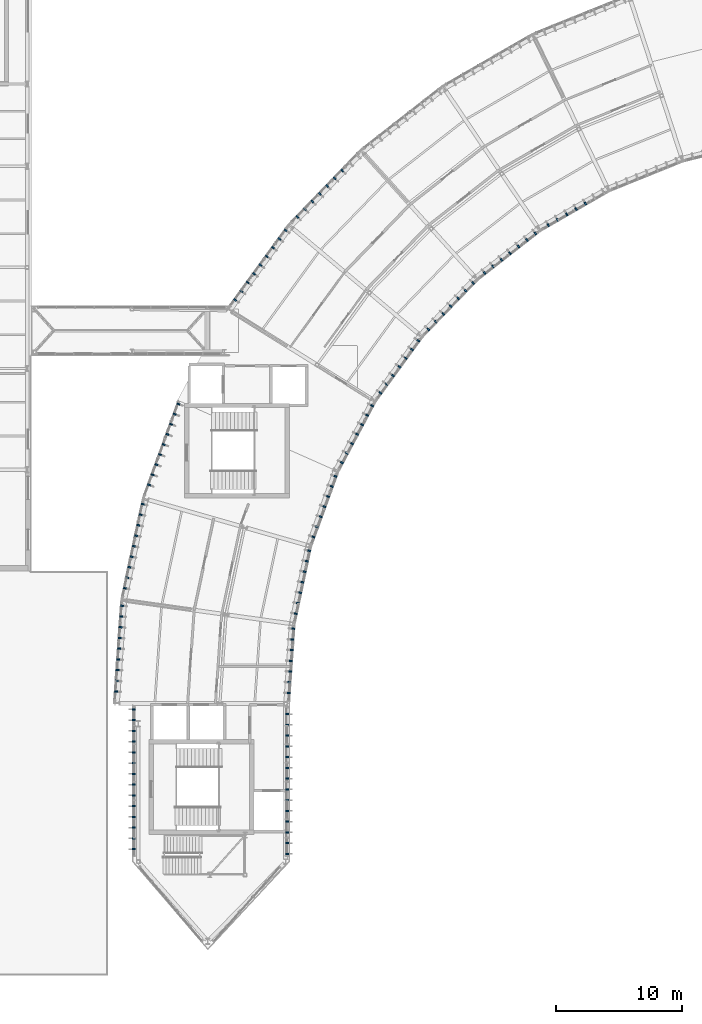
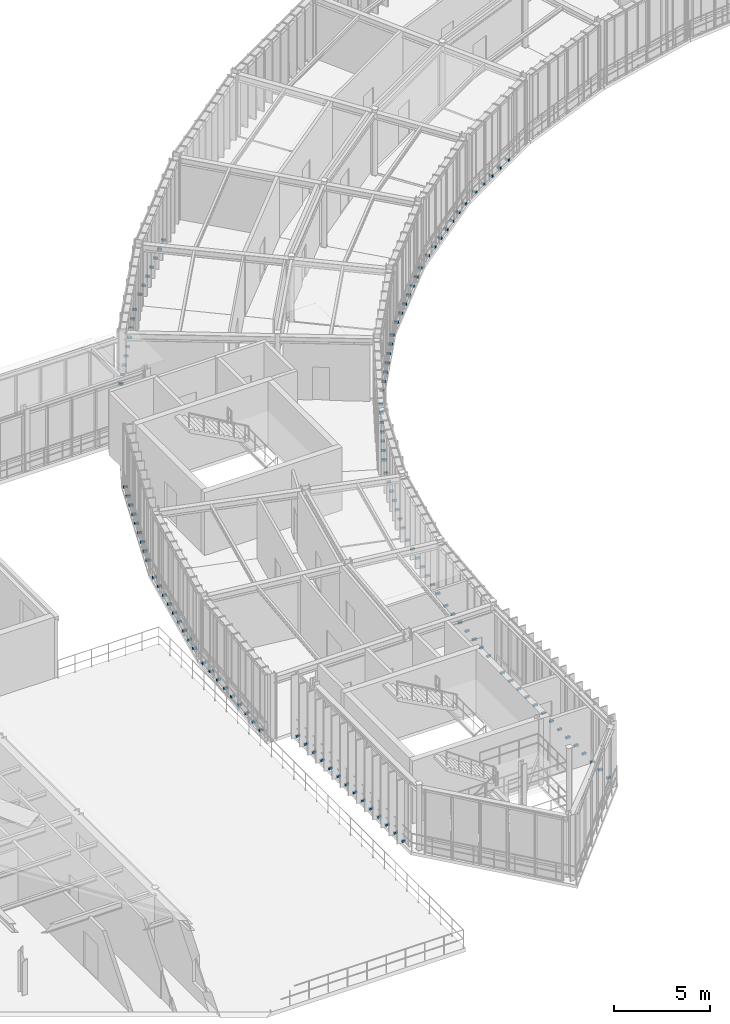
# One storey, part 44 of 52: 125 discrete accessories.
"""IFC4 building model written with IfcOpenShell, lengths in metres."""

from ifc_helpers import new_model, si_unit, direction, frame, origin, origin_2d, place, context, subcontext, project, spatial, rectangle, extrude, material, type_object, element, save


model = new_model("IFC4")

# Units and contexts
model_context = context("Model", 3, precision=1e-05, world=origin(), true_north=direction((0.0, 1.0)))
body_context = subcontext(model_context, "Body", "Model", "MODEL_VIEW")
ifc_project = project(units=[si_unit("LENGTHUNIT", "METRE"), si_unit("AREAUNIT", "SQUARE_METRE"), si_unit("VOLUMEUNIT", "CUBIC_METRE"), si_unit("PLANEANGLEUNIT", "RADIAN"), si_unit("MASSUNIT", "GRAM", prefix="KILO"), si_unit("THERMODYNAMICTEMPERATUREUNIT", "KELVIN"), si_unit("POWERUNIT", "WATT")], contexts=[model_context])

# Site, building, storey
site_placement = place(None, origin())
site = spatial("IfcSite", under=ifc_project, at=site_placement, CompositionType="ELEMENT")
building_placement = place(site_placement, origin())
building = spatial("IfcBuilding", under=site, at=building_placement, Name="Solvatero Civic Police Headquarters", CompositionType="ELEMENT")
storey_placement = place(building_placement, frame((0.0, 0.0, 13.5)))
storey = spatial("IfcBuildingStorey", under=building, at=storey_placement, Name="L03", CompositionType="ELEMENT", Elevation=13.5)

# Discrete accessories
ifc_material = material(Name="Steel S355", Category="steel")
discrete_accessory_type = type_object("IfcDiscreteAccessoryType", Name="ACC-BRK-FIN", PredefinedType="BRACKET", material=ifc_material)
for number, where, z_axis, x_axis, name in (
    (1, (72.356201171875, 65.534912109375, 0.0), (0.0, 0.0, 1.0), (-0.866025403784, -0.5, 0.0), "Slab-Edge Fin Bracket 0642"),
    (2, (71.6201171875, 65.110107421875, 0.0), (0.0, 0.0, 1.0), (-0.866025403784, -0.5, 0.0), "Slab-Edge Fin Bracket 0643"),
    (3, (70.884033203125, 64.68505859375, 0.0), (0.0, 0.0, 1.0), (-0.866025403784, -0.5, 0.0), "Slab-Edge Fin Bracket 0644"),
    (4, (70.14794921875, 64.260009765625, 0.0), (0.0, 0.0, 1.0), (-0.866025403784, -0.5, 0.0), "Slab-Edge Fin Bracket 0645"),
    (5, (69.411865234375, 63.8349609375, 0.0), (0.0, 0.0, 1.0), (-0.866025403784, -0.5, 0.0), "Slab-Edge Fin Bracket 0646"),
    (6, (68.404296875, 63.184814453125, 0.0), (0.0, 0.0, 1.0), (-0.788010753607, -0.615661475326, 0.0), "Slab-Edge Fin Bracket 0656"),
    (7, (67.734619140625, 62.661376953125, 0.0), (0.0, 0.0, 1.0), (-0.788010753607, -0.615661475326, 0.0), "Slab-Edge Fin Bracket 0657"),
    (8, (67.064697265625, 62.137939453125, 0.0), (0.0, 0.0, 1.0), (-0.788010753607, -0.615661475326, 0.0), "Slab-Edge Fin Bracket 0658"),
    (9, (66.39501953125, 61.61474609375, 0.0), (0.0, 0.0, 1.0), (-0.788010753607, -0.615661475326, 0.0), "Slab-Edge Fin Bracket 0659"),
    (10, (65.72509765625, 61.09130859375, 0.0), (0.0, 0.0, 1.0), (-0.788010753607, -0.615661475326, 0.0), "Slab-Edge Fin Bracket 0660"),
    (11, (65.055419921875, 60.568115234375, 0.0), (0.0, 0.0, 1.0), (-0.788010753607, -0.615661475326, 0.0), "Slab-Edge Fin Bracket 0661"),
    (12, (64.385498046875, 60.044921875, 0.0), (0.0, 0.0, 1.0), (-0.788010753607, -0.615661475326, 0.0), "Slab-Edge Fin Bracket 0662"),
    (13, (53.122314453125, 68.152587890625, 0.0), (0.0, 0.0, 1.0), (-0.694645815505, -0.719351924305, 0.0), "Slab-Edge Fin Bracket 0665"),
    (14, (52.531982421875, 67.541259765625, 0.0), (0.0, 0.0, 1.0), (-0.694645815505, -0.719351924305, 0.0), "Slab-Edge Fin Bracket 0666"),
    (15, (51.94140625, 66.9296875, 0.0), (0.0, 0.0, 1.0), (-0.694645815505, -0.719351924305, 0.0), "Slab-Edge Fin Bracket 0667"),
    (16, (51.35107421875, 66.318359375, 0.0), (0.0, 0.0, 1.0), (-0.694645815505, -0.719351924305, 0.0), "Slab-Edge Fin Bracket 0668"),
    (17, (50.760498046875, 65.706787109375, 0.0), (0.0, 0.0, 1.0), (-0.694645815505, -0.719351924305, 0.0), "Slab-Edge Fin Bracket 0669"),
    (18, (50.170166015625, 65.095458984375, 0.0), (0.0, 0.0, 1.0), (-0.694645815505, -0.719351924305, 0.0), "Slab-Edge Fin Bracket 0670"),
    (19, (49.57958984375, 64.484130859375, 0.0), (0.0, 0.0, 1.0), (-0.694645815505, -0.719351924305, 0.0), "Slab-Edge Fin Bracket 0671"),
    (20, (63.478271484375, 59.260498046875, 0.0), (0.0, 0.0, 1.0), (-0.694658370459, -0.719339800339, 0.0), "Slab-Edge Fin Bracket 0672"),
    (21, (62.8876953125, 58.64892578125, 0.0), (0.0, 0.0, 1.0), (-0.694658370459, -0.719339800339, 0.0), "Slab-Edge Fin Bracket 0673"),
    (22, (62.29736328125, 58.03759765625, 0.0), (0.0, 0.0, 1.0), (-0.694658370459, -0.719339800339, 0.0), "Slab-Edge Fin Bracket 0674"),
    (23, (61.706787109375, 57.426025390625, 0.0), (0.0, 0.0, 1.0), (-0.694658370459, -0.719339800339, 0.0), "Slab-Edge Fin Bracket 0675"),
    (24, (61.116455078125, 56.814697265625, 0.0), (0.0, 0.0, 1.0), (-0.694658370459, -0.719339800339, 0.0), "Slab-Edge Fin Bracket 0676"),
    (25, (60.52587890625, 56.203369140625, 0.0), (0.0, 0.0, 1.0), (-0.694658370459, -0.719339800339, 0.0), "Slab-Edge Fin Bracket 0677"),
    (26, (59.935546875, 55.591796875, 0.0), (0.0, 0.0, 1.0), (-0.694658370459, -0.719339800339, 0.0), "Slab-Edge Fin Bracket 0678"),
    (27, (48.653076171875, 63.4287109375, 0.0), (0.0, 0.0, 1.0), (-0.587785252292, -0.809016994375, 0.0), "Slab-Edge Fin Bracket 0679"),
    (28, (48.1533203125, 62.7412109375, 0.0), (0.0, 0.0, 1.0), (-0.587785252292, -0.809016994375, 0.0), "Slab-Edge Fin Bracket 0680"),
    (29, (47.65380859375, 62.053466796875, 0.0), (0.0, 0.0, 1.0), (-0.587785252292, -0.809016994375, 0.0), "Slab-Edge Fin Bracket 0681"),
    (30, (47.154052734375, 61.36572265625, 0.0), (0.0, 0.0, 1.0), (-0.587785252292, -0.809016994375, 0.0), "Slab-Edge Fin Bracket 0682"),
    (31, (46.654541015625, 60.67822265625, 0.0), (0.0, 0.0, 1.0), (-0.587785252292, -0.809016994375, 0.0), "Slab-Edge Fin Bracket 0683"),
    (32, (46.15478515625, 59.990478515625, 0.0), (0.0, 0.0, 1.0), (-0.587785252292, -0.809016994375, 0.0), "Slab-Edge Fin Bracket 0684"),
    (33, (45.6552734375, 59.302734375, 0.0), (0.0, 0.0, 1.0), (-0.587785252292, -0.809016994375, 0.0), "Slab-Edge Fin Bracket 0685"),
    (34, (45.15576171875, 58.615234375, 0.0), (0.0, 0.0, 1.0), (-0.587785252292, -0.809016994375, 0.0), "Slab-Edge Fin Bracket 0686"),
    (35, (44.656005859375, 57.927490234375, 0.0), (0.0, 0.0, 1.0), (-0.587785252292, -0.809016994375, 0.0), "Slab-Edge Fin Bracket 0687"),
    (36, (59.146484375, 54.68896484375, 0.0), (0.0, 0.0, 1.0), (-0.587771132193, -0.80902725304, 0.0), "Slab-Edge Fin Bracket 0688"),
    (37, (58.646728515625, 54.001220703125, 0.0), (0.0, 0.0, 1.0), (-0.587771132193, -0.80902725304, 0.0), "Slab-Edge Fin Bracket 0689"),
    (38, (58.147216796875, 53.313720703125, 0.0), (0.0, 0.0, 1.0), (-0.587771132193, -0.80902725304, 0.0), "Slab-Edge Fin Bracket 0690"),
    (39, (57.6474609375, 52.6259765625, 0.0), (0.0, 0.0, 1.0), (-0.587771132193, -0.80902725304, 0.0), "Slab-Edge Fin Bracket 0691"),
    (40, (57.14794921875, 51.938232421875, 0.0), (0.0, 0.0, 1.0), (-0.587771132193, -0.80902725304, 0.0), "Slab-Edge Fin Bracket 0692"),
    (41, (56.648193359375, 51.250732421875, 0.0), (0.0, 0.0, 1.0), (-0.587771132193, -0.80902725304, 0.0), "Slab-Edge Fin Bracket 0693"),
    (42, (56.148681640625, 50.56298828125, 0.0), (0.0, 0.0, 1.0), (-0.587771132193, -0.80902725304, 0.0), "Slab-Edge Fin Bracket 0694"),
    (43, (55.492919921875, 49.55908203125, 0.0), (0.0, 0.0, 1.0), (-0.469486973057, -0.8829393989, 0.0), "Slab-Edge Fin Bracket 0695"),
    (44, (55.09375, 48.80859375, 0.0), (0.0, 0.0, 1.0), (-0.469486973057, -0.8829393989, 0.0), "Slab-Edge Fin Bracket 0696"),
    (45, (54.694580078125, 48.05810546875, 0.0), (0.0, 0.0, 1.0), (-0.469486973057, -0.8829393989, 0.0), "Slab-Edge Fin Bracket 0697"),
    (46, (54.295654296875, 47.3076171875, 0.0), (0.0, 0.0, 1.0), (-0.469486973057, -0.8829393989, 0.0), "Slab-Edge Fin Bracket 0698"),
    (47, (53.896484375, 46.556884765625, 0.0), (0.0, 0.0, 1.0), (-0.469486973057, -0.8829393989, 0.0), "Slab-Edge Fin Bracket 0699"),
    (48, (53.49755859375, 45.806396484375, 0.0), (0.0, 0.0, 1.0), (-0.469486973057, -0.8829393989, 0.0), "Slab-Edge Fin Bracket 0700"),
    (49, (53.098388671875, 45.055908203125, 0.0), (0.0, 0.0, 1.0), (-0.469486973057, -0.8829393989, 0.0), "Slab-Edge Fin Bracket 0701"),
    (50, (40.16845703125, 49.687255859375, 0.0), (0.0, 0.0, 1.0), (-0.342020143326, -0.939692620786, 0.0), "Slab-Edge Fin Bracket 0702"),
    (51, (39.877685546875, 48.888427734375, 0.0), (0.0, 0.0, 1.0), (-0.342020143326, -0.939692620786, 0.0), "Slab-Edge Fin Bracket 0703"),
    (52, (39.587158203125, 48.08984375, 0.0), (0.0, 0.0, 1.0), (-0.342020143326, -0.939692620786, 0.0), "Slab-Edge Fin Bracket 0704"),
    (53, (39.29638671875, 47.291015625, 0.0), (0.0, 0.0, 1.0), (-0.342020143326, -0.939692620786, 0.0), "Slab-Edge Fin Bracket 0705"),
    (54, (39.005615234375, 46.4921875, 0.0), (0.0, 0.0, 1.0), (-0.342020143326, -0.939692620786, 0.0), "Slab-Edge Fin Bracket 0706"),
    (55, (38.71484375, 45.693603515625, 0.0), (0.0, 0.0, 1.0), (-0.342020143326, -0.939692620786, 0.0), "Slab-Edge Fin Bracket 0707"),
    (56, (38.42431640625, 44.894775390625, 0.0), (0.0, 0.0, 1.0), (-0.342020143326, -0.939692620786, 0.0), "Slab-Edge Fin Bracket 0708"),
    (57, (38.133544921875, 44.09619140625, 0.0), (0.0, 0.0, 1.0), (-0.342020143326, -0.939692620786, 0.0), "Slab-Edge Fin Bracket 0709"),
    (58, (37.8427734375, 43.29736328125, 0.0), (0.0, 0.0, 1.0), (-0.342020143326, -0.939692620786, 0.0), "Slab-Edge Fin Bracket 0710"),
    (59, (52.5888671875, 43.970703125, 0.0), (0.0, 0.0, 1.0), (-0.342020143326, -0.939692620786, 0.0), "Slab-Edge Fin Bracket 0711"),
    (60, (52.298095703125, 43.171875, 0.0), (0.0, 0.0, 1.0), (-0.342020143326, -0.939692620786, 0.0), "Slab-Edge Fin Bracket 0712"),
    (61, (52.00732421875, 42.373291015625, 0.0), (0.0, 0.0, 1.0), (-0.342020143326, -0.939692620786, 0.0), "Slab-Edge Fin Bracket 0713"),
    (62, (51.716796875, 41.574462890625, 0.0), (0.0, 0.0, 1.0), (-0.342020143326, -0.939692620786, 0.0), "Slab-Edge Fin Bracket 0714"),
    (63, (51.426025390625, 40.775634765625, 0.0), (0.0, 0.0, 1.0), (-0.342020143326, -0.939692620786, 0.0), "Slab-Edge Fin Bracket 0715"),
    (64, (51.13525390625, 39.97705078125, 0.0), (0.0, 0.0, 1.0), (-0.342020143326, -0.939692620786, 0.0), "Slab-Edge Fin Bracket 0716"),
    (65, (50.844482421875, 39.17822265625, 0.0), (0.0, 0.0, 1.0), (-0.342020143326, -0.939692620786, 0.0), "Slab-Edge Fin Bracket 0717"),
    (66, (37.35498046875, 41.773193359375, 0.0), (0.0, 0.0, 1.0), (-0.207928762682, -0.978143971841, 0.0), "Slab-Edge Fin Bracket 0718"),
    (67, (37.17822265625, 40.941650390625, 0.0), (0.0, 0.0, 1.0), (-0.207928762682, -0.978143971841, 0.0), "Slab-Edge Fin Bracket 0719"),
    (68, (37.001708984375, 40.110107421875, 0.0), (0.0, 0.0, 1.0), (-0.207928762682, -0.978143971841, 0.0), "Slab-Edge Fin Bracket 0720"),
    (69, (36.82470703125, 39.27880859375, 0.0), (0.0, 0.0, 1.0), (-0.207928762682, -0.978143971841, 0.0), "Slab-Edge Fin Bracket 0721"),
    (70, (36.648193359375, 38.447509765625, 0.0), (0.0, 0.0, 1.0), (-0.207928762682, -0.978143971841, 0.0), "Slab-Edge Fin Bracket 0722"),
    (71, (36.471435546875, 37.615966796875, 0.0), (0.0, 0.0, 1.0), (-0.207928762682, -0.978143971841, 0.0), "Slab-Edge Fin Bracket 0723"),
    (72, (36.294677734375, 36.784423828125, 0.0), (0.0, 0.0, 1.0), (-0.207928762682, -0.978143971841, 0.0), "Slab-Edge Fin Bracket 0724"),
    (73, (36.117919921875, 35.953125, 0.0), (0.0, 0.0, 1.0), (-0.207928762682, -0.978143971841, 0.0), "Slab-Edge Fin Bracket 0725"),
    (74, (35.941162109375, 35.12158203125, 0.0), (0.0, 0.0, 1.0), (-0.207928762682, -0.978143971841, 0.0), "Slab-Edge Fin Bracket 0726"),
    (75, (50.50390625, 38.094482421875, 0.0), (0.0, 0.0, 1.0), (-0.207911690818, -0.978147600734, 0.0), "Slab-Edge Fin Bracket 0727"),
    (76, (50.327392578125, 37.26318359375, 0.0), (0.0, 0.0, 1.0), (-0.207911690818, -0.978147600734, 0.0), "Slab-Edge Fin Bracket 0728"),
    (77, (50.150634765625, 36.431640625, 0.0), (0.0, 0.0, 1.0), (-0.207911690818, -0.978147600734, 0.0), "Slab-Edge Fin Bracket 0729"),
    (78, (49.973876953125, 35.600341796875, 0.0), (0.0, 0.0, 1.0), (-0.207911690818, -0.978147600734, 0.0), "Slab-Edge Fin Bracket 0730"),
    (79, (49.797119140625, 34.768798828125, 0.0), (0.0, 0.0, 1.0), (-0.207911690818, -0.978147600734, 0.0), "Slab-Edge Fin Bracket 0731"),
    (80, (49.620361328125, 33.9375, 0.0), (0.0, 0.0, 1.0), (-0.207911690818, -0.978147600734, 0.0), "Slab-Edge Fin Bracket 0732"),
    (81, (49.443603515625, 33.10595703125, 0.0), (0.0, 0.0, 1.0), (-0.207911690818, -0.978147600734, 0.0), "Slab-Edge Fin Bracket 0733"),
    (82, (35.7109375, 33.736083984375, 0.0), (0.0, 0.0, 1.0), (-0.069739062956, -0.997565267588, 0.0), "Slab-Edge Fin Bracket 0734"),
    (83, (35.651611328125, 32.88818359375, 0.0), (0.0, 0.0, 1.0), (-0.069739062956, -0.997565267588, 0.0), "Slab-Edge Fin Bracket 0735"),
    (84, (35.59228515625, 32.040283203125, 0.0), (0.0, 0.0, 1.0), (-0.069739062956, -0.997565267588, 0.0), "Slab-Edge Fin Bracket 0736"),
    (85, (35.533203125, 31.1923828125, 0.0), (0.0, 0.0, 1.0), (-0.069739062956, -0.997565267588, 0.0), "Slab-Edge Fin Bracket 0737"),
    (86, (35.473876953125, 30.344482421875, 0.0), (0.0, 0.0, 1.0), (-0.069739062956, -0.997565267588, 0.0), "Slab-Edge Fin Bracket 0738"),
    (87, (35.41455078125, 29.49658203125, 0.0), (0.0, 0.0, 1.0), (-0.069739062956, -0.997565267588, 0.0), "Slab-Edge Fin Bracket 0739"),
    (88, (35.355224609375, 28.6484375, 0.0), (0.0, 0.0, 1.0), (-0.069739062956, -0.997565267588, 0.0), "Slab-Edge Fin Bracket 0740"),
    (89, (35.2958984375, 27.800537109375, 0.0), (0.0, 0.0, 1.0), (-0.069739062956, -0.997565267588, 0.0), "Slab-Edge Fin Bracket 0741"),
    (90, (35.23681640625, 26.95263671875, 0.0), (0.0, 0.0, 1.0), (-0.069739062956, -0.997565267588, 0.0), "Slab-Edge Fin Bracket 0742"),
    (91, (49.244140625, 31.92333984375, 0.0), (0.0, 0.0, 1.0), (-0.069756473744, -0.99756405026, 0.0), "Slab-Edge Fin Bracket 0743"),
    (92, (49.184814453125, 31.075439453125, 0.0), (0.0, 0.0, 1.0), (-0.069756473744, -0.99756405026, 0.0), "Slab-Edge Fin Bracket 0744"),
    (93, (49.12548828125, 30.2275390625, 0.0), (0.0, 0.0, 1.0), (-0.069756473744, -0.99756405026, 0.0), "Slab-Edge Fin Bracket 0745"),
    (94, (49.066162109375, 29.379638671875, 0.0), (0.0, 0.0, 1.0), (-0.069756473744, -0.99756405026, 0.0), "Slab-Edge Fin Bracket 0746"),
    (95, (49.0068359375, 28.53173828125, 0.0), (0.0, 0.0, 1.0), (-0.069756473744, -0.99756405026, 0.0), "Slab-Edge Fin Bracket 0747"),
    (96, (48.947509765625, 27.68359375, 0.0), (0.0, 0.0, 1.0), (-0.069756473744, -0.99756405026, 0.0), "Slab-Edge Fin Bracket 0748"),
    (97, (48.88818359375, 26.835693359375, 0.0), (0.0, 0.0, 1.0), (-0.069756473744, -0.99756405026, 0.0), "Slab-Edge Fin Bracket 0749"),
    (98, (36.6298828125, 25.5400390625, 0.0), (0.0, 0.0, 1.0), (0.0, -1.0, 0.0), "Slab-Edge Fin Bracket 0750"),
    (99, (36.6298828125, 24.68994140625, 0.0), (0.0, 0.0, 1.0), (0.0, -1.0, 0.0), "Slab-Edge Fin Bracket 0751"),
    (100, (36.6298828125, 23.840087890625, 0.0), (0.0, 0.0, 1.0), (0.0, -1.0, 0.0), "Slab-Edge Fin Bracket 0752"),
    (101, (36.6298828125, 22.989990234375, 0.0), (0.0, 0.0, 1.0), (0.0, -1.0, 0.0), "Slab-Edge Fin Bracket 0753"),
    (102, (36.6298828125, 22.139892578125, 0.0), (0.0, 0.0, 1.0), (0.0, -1.0, 0.0), "Slab-Edge Fin Bracket 0754"),
    (103, (36.6298828125, 21.2900390625, 0.0), (0.0, 0.0, 1.0), (0.0, -1.0, 0.0), "Slab-Edge Fin Bracket 0755"),
    (104, (36.6298828125, 20.43994140625, 0.0), (0.0, 0.0, 1.0), (0.0, -1.0, 0.0), "Slab-Edge Fin Bracket 0756"),
    (105, (36.6298828125, 19.590087890625, 0.0), (0.0, 0.0, 1.0), (0.0, -1.0, 0.0), "Slab-Edge Fin Bracket 0757"),
    (106, (36.6298828125, 18.739990234375, 0.0), (0.0, 0.0, 1.0), (0.0, -1.0, 0.0), "Slab-Edge Fin Bracket 0758"),
    (107, (36.6298828125, 17.889892578125, 0.0), (0.0, 0.0, 1.0), (0.0, -1.0, 0.0), "Slab-Edge Fin Bracket 0759"),
    (108, (36.6298828125, 17.0400390625, 0.0), (0.0, 0.0, 1.0), (0.0, -1.0, 0.0), "Slab-Edge Fin Bracket 0760"),
    (109, (36.6298828125, 16.18994140625, 0.0), (0.0, 0.0, 1.0), (0.0, -1.0, 0.0), "Slab-Edge Fin Bracket 0761"),
    (110, (36.6298828125, 15.340087890625, 0.0), (0.0, 0.0, 1.0), (0.0, -1.0, 0.0), "Slab-Edge Fin Bracket 0762"),
    (111, (36.6298828125, 14.489990234375, 0.0), (0.0, 0.0, 1.0), (0.0, -1.0, 0.0), "Slab-Edge Fin Bracket 0763"),
    (112, (48.77001953125, 14.110107421875, 0.0), (0.0, 0.0, 1.0), (0.0, 1.0, 0.0), "Slab-Edge Fin Bracket 0764"),
    (113, (48.77001953125, 14.9599609375, 0.0), (0.0, 0.0, 1.0), (0.0, 1.0, 0.0), "Slab-Edge Fin Bracket 0765"),
    (114, (48.77001953125, 15.81005859375, 0.0), (0.0, 0.0, 1.0), (0.0, 1.0, 0.0), "Slab-Edge Fin Bracket 0766"),
    (115, (48.77001953125, 16.659912109375, 0.0), (0.0, 0.0, 1.0), (0.0, 1.0, 0.0), "Slab-Edge Fin Bracket 0767"),
    (116, (48.77001953125, 17.510009765625, 0.0), (0.0, 0.0, 1.0), (0.0, 1.0, 0.0), "Slab-Edge Fin Bracket 0768"),
    (117, (48.77001953125, 18.360107421875, 0.0), (0.0, 0.0, 1.0), (0.0, 1.0, 0.0), "Slab-Edge Fin Bracket 0769"),
    (118, (48.77001953125, 19.2099609375, 0.0), (0.0, 0.0, 1.0), (0.0, 1.0, 0.0), "Slab-Edge Fin Bracket 0770"),
    (119, (48.77001953125, 20.06005859375, 0.0), (0.0, 0.0, 1.0), (0.0, 1.0, 0.0), "Slab-Edge Fin Bracket 0771"),
    (120, (48.77001953125, 20.909912109375, 0.0), (0.0, 0.0, 1.0), (0.0, 1.0, 0.0), "Slab-Edge Fin Bracket 0772"),
    (121, (48.77001953125, 21.760009765625, 0.0), (0.0, 0.0, 1.0), (0.0, 1.0, 0.0), "Slab-Edge Fin Bracket 0773"),
    (122, (48.77001953125, 22.610107421875, 0.0), (0.0, 0.0, 1.0), (0.0, 1.0, 0.0), "Slab-Edge Fin Bracket 0774"),
    (123, (48.77001953125, 23.4599609375, 0.0), (0.0, 0.0, 1.0), (0.0, 1.0, 0.0), "Slab-Edge Fin Bracket 0775"),
    (124, (48.77001953125, 24.31005859375, 0.0), (0.0, 0.0, 1.0), (0.0, 1.0, 0.0), "Slab-Edge Fin Bracket 0776"),
    (125, (48.77001953125, 25.159912109375, 0.0), (0.0, 0.0, 1.0), (0.0, 1.0, 0.0), "Slab-Edge Fin Bracket 0777"),
):
    element("IfcDiscreteAccessory", number, at=place(storey_placement, frame(where, z_axis=z_axis, x_axis=x_axis)), inside=storey, type_object=discrete_accessory_type, Name=name, PredefinedType="BRACKET", context=body_context, shape_type="SweptSolid", body=[
        extrude(rectangle(XDim=0.1201171875, YDim=0.239990234375, at=origin_2d()), origin(), (0.0, 0.0, 1.0), 0.1201171875),
    ])

save(model, "model.ifc")
